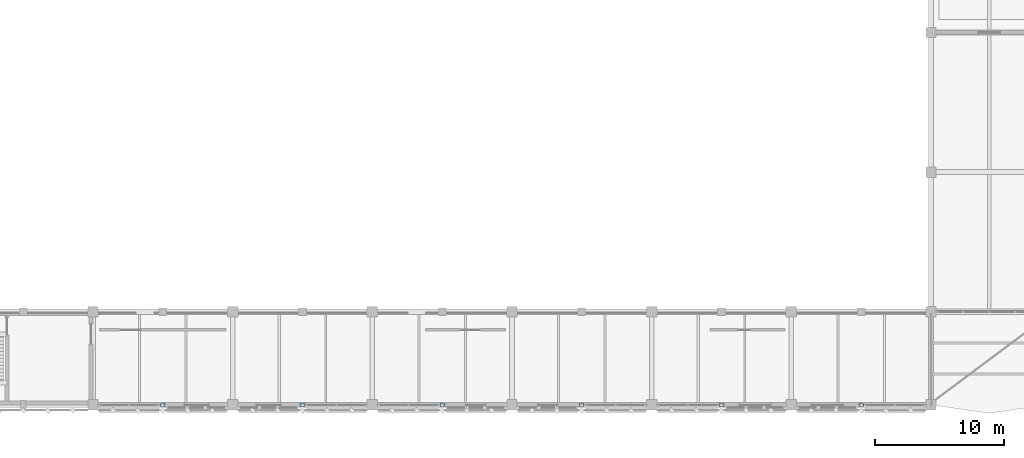
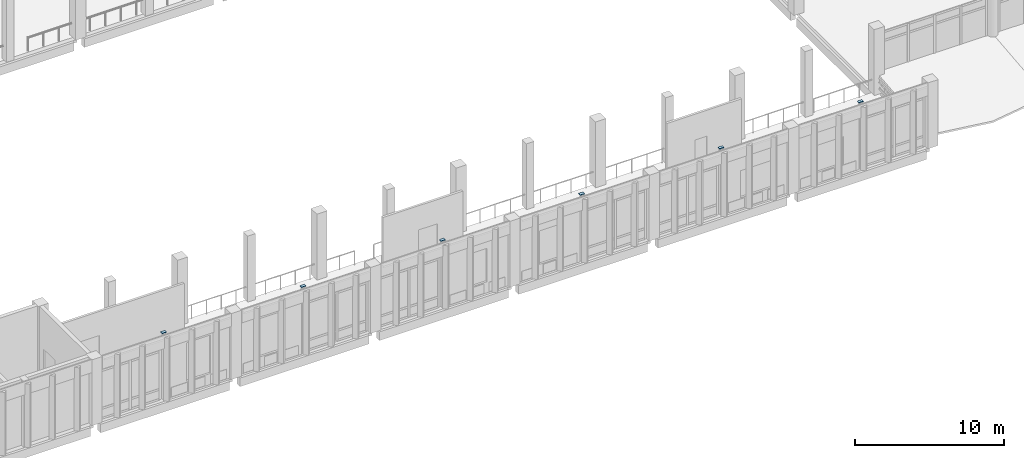
# One storey, part 153 of 180: 6 plates.
"""IFC4 building model written with IfcOpenShell, lengths in metres."""

from ifc_helpers import new_model, si_unit, direction, frame, origin, origin_2d, place, context, subcontext, project, spatial, rectangle, extrude, material, layer, layer_set, type_object, element, save


model = new_model("IFC4")

# Units and contexts
model_context = context("Model", 3, precision=1e-05, world=origin(), true_north=direction((0.0, 1.0)))
body_context = subcontext(model_context, "Body", "Model", "MODEL_VIEW")
ifc_project = project(units=[si_unit("LENGTHUNIT", "METRE"), si_unit("AREAUNIT", "SQUARE_METRE"), si_unit("VOLUMEUNIT", "CUBIC_METRE"), si_unit("PLANEANGLEUNIT", "RADIAN"), si_unit("MASSUNIT", "GRAM", prefix="KILO")], contexts=[model_context])

# Site, building, storey
site_placement = place(None, origin())
site = spatial("IfcSite", under=ifc_project, at=site_placement, CompositionType="ELEMENT")
building_placement = place(site_placement, origin())
building = spatial("IfcBuilding", under=site, at=building_placement, Name="Lusvemor Sports Hall", CompositionType="ELEMENT")
storey_placement = place(building_placement, frame((0.0, 0.0, 5.39990234375)))
storey = spatial("IfcBuildingStorey", under=building, at=storey_placement, Name="L01", CompositionType="ELEMENT", Elevation=5.39990234375)

# Plates
ifc_material = material(Name="Steel S355", Category="steel")
ifc_layer = layer(ifc_material, 0.06005859375)
ifc_layer_set = layer_set([ifc_layer], Name="Steel S355")
plate_type = type_object("IfcPlateType", Name="GUSSET_TIE_F", PredefinedType="USERDEFINED", material=ifc_layer_set)
for number, where, z_axis, x_axis, name in (
    (1, (16.199951171875, 0.0, 5.3701171875), (0.0, 0.0, 1.0), (1.0, 0.0, 0.0), "Pilaster Hollow-End Cap Plate S1"),
    (2, (27.0, 0.0, 5.3701171875), (0.0, 0.0, 1.0), (1.0, 0.0, 0.0), "Pilaster Hollow-End Cap Plate S2"),
    (3, (37.800048828125, 0.0, 5.3701171875), (0.0, 0.0, 1.0), (1.0, 0.0, 0.0), "Pilaster Hollow-End Cap Plate S3"),
    (4, (48.60009765625, 0.0, 5.3701171875), (0.0, 0.0, 1.0), (1.0, 0.0, 0.0), "Pilaster Hollow-End Cap Plate S4"),
    (5, (59.39990234375, 0.0, 5.3701171875), (0.0, 0.0, 1.0), (1.0, 0.0, 0.0), "Pilaster Hollow-End Cap Plate S5"),
    (6, (70.199951171875, 0.0, 5.3701171875), (0.0, 0.0, 1.0), (1.0, 0.0, 0.0), "Pilaster Hollow-End Cap Plate S6"),
):
    element("IfcPlate", number, at=place(storey_placement, frame(where, z_axis=z_axis, x_axis=x_axis)), inside=storey, type_object=plate_type, Name=name, ObjectType="GUSSET_PLATE", PredefinedType="USERDEFINED", context=body_context, shape_type="SweptSolid", body=[
        extrude(rectangle(XDim=0.35009765625, YDim=0.219970703125, at=origin_2d()), origin(), (0.0, 0.0, 1.0), 0.06005859375),
    ])

save(model, "model.ifc")
